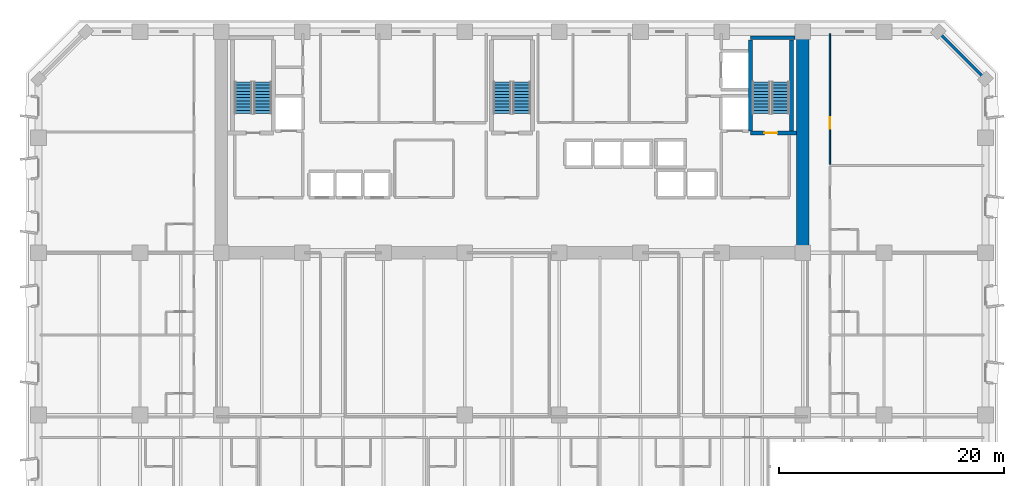
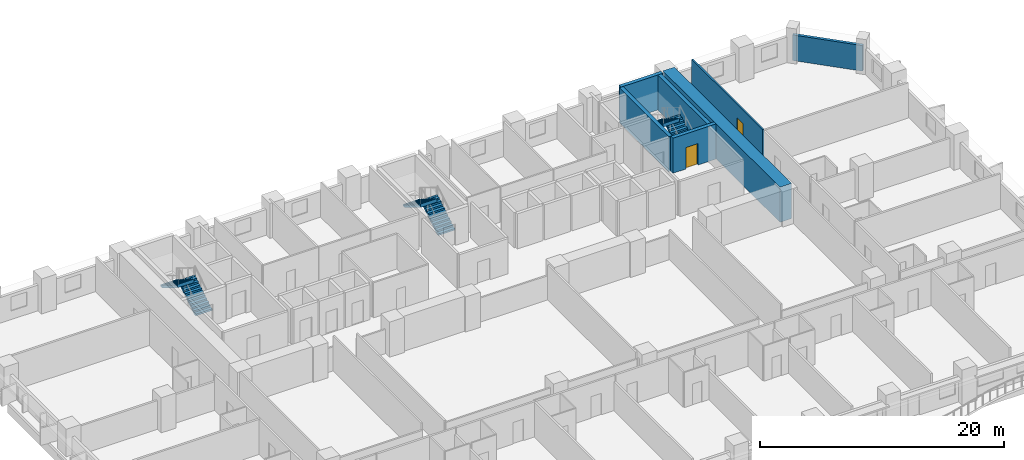
# One storey, part 11 of 15: 7 walls, 6 stair flights, 2 doors, 2 openings, 3 elements without a shape of their own.
"""IFC4 building model written with IfcOpenShell, lengths in metres."""

import ifcopenshell
import ifcopenshell.guid

model = None  # the IFC model being written
_history = None  # IfcOwnerHistory: only IFC2X3 demands one
_inside = {}  # id of a spatial element -> (the spatial element, [elements in it])
_under = {}  # id of a project, library or spatial element -> (it, [spatial elements below it])
_declared = {}  # id of a project -> (the project, [libraries it declares])
_typed = {}  # id of a type object -> (the type object, [elements of that type])
_made_of = {}  # id of a material, layer set ... -> (it, [elements and type objects made of it])


def new_model(schema):
    """Start an empty IFC model of exactly this schema.

    Asked for "IFC4X3", IfcOpenShell would pick the latest addendum, in which some entities
    have other attributes; the version numbers below select the first issue.
    IFC2X3 requires an IfcOwnerHistory on every rooted entity: one is made here for all.
    """
    global model, _history
    if schema == "IFC4X3":
        model = ifcopenshell.file(schema_version=(4, 3, 0, 0))
    else:
        model = ifcopenshell.file(schema=schema)
    _inside.clear()
    _under.clear()
    _declared.clear()
    _typed.clear()
    _made_of.clear()
    _history = None
    if model.schema == "IFC2X3":
        org = make("IfcOrganization", Name="unknown")
        user = make(
            "IfcPersonAndOrganization",
            ThePerson=make("IfcPerson", FamilyName="unknown"),
            TheOrganization=org,
        )
        app = make(
            "IfcApplication",
            ApplicationDeveloper=org,
            Version="unknown",
            ApplicationFullName="unknown",
            ApplicationIdentifier="unknown",
        )
        _history = make(
            "IfcOwnerHistory",
            OwningUser=user,
            OwningApplication=app,
            ChangeAction="ADDED",
            CreationDate=0,
        )
    return model


def make(cls, **values):
    """One entity of the class cls with the attributes given. An attribute that is None is left unset."""
    return model.create_entity(
        cls, **{name: value for name, value in values.items() if value is not None}
    )


def rooted(cls, **values):
    """An entity with a GlobalId (a new one), such as an element, a storey or a relation."""
    return make(cls, GlobalId=ifcopenshell.guid.new(), OwnerHistory=_history, **values)


def si_unit(unit_type, name, prefix=None):
    """IfcSIUnit, for example si_unit("LENGTHUNIT", "METRE", prefix="MILLI")."""
    return make("IfcSIUnit", UnitType=unit_type, Prefix=prefix, Name=name)


def assignment(units):
    """IfcUnitAssignment: the units of a project."""
    return None if units is None else make("IfcUnitAssignment", Units=units)


def point(xyz):
    """IfcCartesianPoint."""
    return None if xyz is None else make("IfcCartesianPoint", Coordinates=xyz)


def direction(xyz):
    """IfcDirection."""
    return None if xyz is None else make("IfcDirection", DirectionRatios=xyz)


def frame(location, z_axis=None, x_axis=None):
    """IfcAxis2Placement3D, a coordinate frame: its origin and axes. An axis left out is left unset."""
    return make(
        "IfcAxis2Placement3D",
        Location=point(location),
        Axis=direction(z_axis),
        RefDirection=direction(x_axis),
    )


def frame_2d(location, x_axis=None):
    """IfcAxis2Placement2D, a coordinate frame in the plane: its origin and x axis."""
    return make(
        "IfcAxis2Placement2D", Location=point(location), RefDirection=direction(x_axis)
    )


def origin():
    """The frame at (0, 0, 0) with its axes left unset."""
    return frame((0.0, 0.0, 0.0))


def place(relative_to, where):
    """IfcLocalPlacement: puts the frame where relative to a parent placement (None: the world)."""
    return make(
        "IfcLocalPlacement", PlacementRelTo=relative_to, RelativePlacement=where
    )


def context(
    kind, dimensions, precision=None, world=None, true_north=None, identifier=None
):
    """IfcGeometricRepresentationContext, for example the 3D "Model" context."""
    return make(
        "IfcGeometricRepresentationContext",
        ContextIdentifier=identifier,
        ContextType=kind,
        CoordinateSpaceDimension=dimensions,
        Precision=precision,
        WorldCoordinateSystem=world,
        TrueNorth=true_north,
    )


def subcontext(parent, identifier, kind, view, scale=None):
    """IfcGeometricRepresentationSubContext, for example "Body" below "Model"."""
    return make(
        "IfcGeometricRepresentationSubContext",
        ContextIdentifier=identifier,
        ContextType=kind,
        ParentContext=parent,
        TargetScale=scale,
        TargetView=view,
    )


def project(units=None, contexts=None):
    """IfcProject with its units and contexts."""
    return rooted(
        "IfcProject",
        Name="project",
        RepresentationContexts=contexts,
        UnitsInContext=assignment(units),
    )


def spatial(cls, under=None, at=None, **own):
    """A site, building, storey or space (cls), placed at a placement, below another one or the project."""
    s = rooted(cls, ObjectPlacement=at, **own)
    if under is not None:
        _under.setdefault(under.id(), (under, []))[1].append(s)
    return s


def polyline(points):
    """IfcPolyline through the points."""
    return make("IfcPolyline", Points=[point(p) for p in points])


def profile(cls, at=None, kind="AREA", **sizes):
    """A parametric profile (cls). Its sizes go by their IFC names, for example OverallWidth=200.0."""
    return make(cls, ProfileType=kind, Position=at, **sizes)


def rectangle(**sizes):
    """IfcRectangleProfileDef."""
    return profile("IfcRectangleProfileDef", **sizes)


def outline(outer, holes=None, kind="AREA"):
    """IfcArbitraryClosedProfileDef: a profile drawn as a closed curve; with holes, ...WithVoids."""
    if holes is None:
        return make("IfcArbitraryClosedProfileDef", ProfileType=kind, OuterCurve=outer)
    return make(
        "IfcArbitraryProfileDefWithVoids",
        ProfileType=kind,
        OuterCurve=outer,
        InnerCurves=holes,
    )


def extrude(swept, where, along, depth):
    """IfcExtrudedAreaSolid: the profile swept, set in the frame where, extruded along a direction by depth."""
    return make(
        "IfcExtrudedAreaSolid",
        SweptArea=swept,
        Position=where,
        ExtrudedDirection=direction(along),
        Depth=depth,
    )


def shape(context_of_items, identifier, shape_type, items):
    """IfcShapeRepresentation: the items that make up one representation, for example the "Body"."""
    return make(
        "IfcShapeRepresentation",
        ContextOfItems=context_of_items,
        RepresentationIdentifier=identifier,
        RepresentationType=shape_type,
        Items=items,
    )


def material(Name=None, Category=None):
    """IfcMaterial."""
    return make("IfcMaterial", Name=Name, Category=Category)


def layer(
    of_material, thickness, ventilated=None, Name=None, Category=None, Priority=None
):
    """IfcMaterialLayer: one layer of a wall or slab, of a material (None: an air gap)."""
    return make(
        "IfcMaterialLayer",
        Material=of_material,
        LayerThickness=thickness,
        IsVentilated=ventilated,
        Name=Name,
        Category=Category,
        Priority=Priority,
    )


def layer_set(layers, Name=None):
    """IfcMaterialLayerSet."""
    return make("IfcMaterialLayerSet", MaterialLayers=layers, LayerSetName=Name)


def made_of(thing, what):
    """Note that an element or type object is made of a material, layer set ...; save() writes the relation."""
    if what is not None:
        _made_of.setdefault(what.id(), (what, []))[1].append(thing)
    return thing


def type_object(cls, material=None, **own):
    """A type object (cls), such as IfcWallType, which elements share."""
    return made_of(rooted(cls, **own), material)


def element(
    cls,
    number,
    at=None,
    inside=None,
    cuts=None,
    type_object=None,
    material=None,
    context=None,
    identifier="Body",
    shape_type=None,
    held_by="IfcProductDefinitionShape",
    body=None,
    shapes=None,
    **own,
):
    """One element of the class cls, such as IfcWall. Its Tag is "e" and its number.

    at: its placement. inside: the storey or other place that contains it. cuts: it is an
    opening in that element (IfcRelVoidsElement). A single representation is given by context,
    identifier, shape_type and body (its items); several are given by shapes. held_by: the class
    of the entity that holds the representations. save() writes the other relations.
    """
    e = rooted(cls, Tag="e%d" % number, ObjectPlacement=at, **own)
    if body is not None:
        shapes = [shape(context, identifier, shape_type, body)]
    if shapes is not None:
        e.Representation = make(held_by, Representations=shapes)
    if inside is not None:
        _inside.setdefault(inside.id(), (inside, []))[1].append(e)
    if cuts is not None:
        rooted(
            "IfcRelVoidsElement", RelatingBuildingElement=cuts, RelatedOpeningElement=e
        )
    if type_object is not None:
        _typed.setdefault(type_object.id(), (type_object, []))[1].append(e)
    return made_of(e, material)


def fill(opening, filler):
    """IfcRelFillsElement: the door or window that sits in an opening."""
    return rooted(
        "IfcRelFillsElement",
        RelatingOpeningElement=opening,
        RelatedBuildingElement=filler,
    )


def aggregate(whole, parts):
    """IfcRelAggregates: a whole, such as a stair, and the parts it consists of."""
    return rooted("IfcRelAggregates", RelatingObject=whole, RelatedObjects=parts)


def save(model, path):
    """Write the relations noted so far, then the file.

    IfcRelAggregates (storeys below a building ...), IfcRelContainedInSpatialStructure (elements
    in a storey), IfcRelDefinesByType, IfcRelAssociatesMaterial and IfcRelDeclares: one each for
    every whole, place, type object, material and project.
    """
    for whole, parts in _under.values():
        aggregate(whole, parts)
    for where, things in _inside.values():
        rooted(
            "IfcRelContainedInSpatialStructure",
            RelatedElements=things,
            RelatingStructure=where,
        )
    for kind, things in _typed.values():
        rooted("IfcRelDefinesByType", RelatedObjects=things, RelatingType=kind)
    for what, things in _made_of.values():
        rooted("IfcRelAssociatesMaterial", RelatedObjects=things, RelatingMaterial=what)
    for by, libraries in _declared.values():
        rooted("IfcRelDeclares", RelatingContext=by, RelatedDefinitions=libraries)
    model.write(path)


model = new_model("IFC4")

# Units and contexts
model_context = context("Model", 3, precision=1e-05, world=origin(), true_north=direction((0.0, 1.0)))
body_context = subcontext(model_context, "Body", "Model", "MODEL_VIEW")
ifc_project = project(units=[si_unit("LENGTHUNIT", "METRE"), si_unit("AREAUNIT", "SQUARE_METRE"), si_unit("VOLUMEUNIT", "CUBIC_METRE"), si_unit("PLANEANGLEUNIT", "RADIAN"), si_unit("MASSUNIT", "GRAM", prefix="KILO")], contexts=[model_context])

# Site, building, storey
site_placement = place(None, origin())
site = spatial("IfcSite", under=ifc_project, at=site_placement, CompositionType="ELEMENT")
building_placement = place(site_placement, origin())
building = spatial("IfcBuilding", under=site, at=building_placement, Name="Kaelvorn Grand Hotel", CompositionType="ELEMENT")
storey_placement = place(building_placement, frame((0.0, 0.0, 65.14990234375)))
storey = spatial("IfcBuildingStorey", under=building, at=storey_placement, Name="L14", CompositionType="ELEMENT", Elevation=65.14990234375)

# Walls
ifc_material_1 = material(Name="Concrete C80/95", Category="concrete")
ifc_layer_1 = layer(ifc_material_1, 1.10009765625)
ifc_layer_set_1 = layer_set([ifc_layer_1], Name="Concrete C80/95")
wall_type_1 = type_object("IfcWallType", Name="WL-CORE-1100-C80", PredefinedType="SHEAR", material=ifc_layer_set_1)
wall_1_placement = place(storey_placement, frame((67.800048828125, 29.39990234375, 0.0), z_axis=(0.0, 0.0, 1.0), x_axis=(0.0, 1.0, 0.0)))
element("IfcWall", 1, at=wall_1_placement, inside=storey, type_object=wall_type_1, Name="L14 Rear-Core East Shear Wall", PredefinedType="SHEAR", context=body_context, shape_type="SweptSolid", body=[
    extrude(rectangle(XDim=19.2001953125, YDim=1.10009765625, at=frame_2d((9.60009765625, 0.0))), origin(), (0.0, 0.0, 1.0), 3.510009765625),
])
ifc_material_2 = material(Name="Concrete C40/50", Category="concrete")
ifc_layer_2 = layer(ifc_material_2, 0.260009765625)
ifc_layer_set_2 = layer_set([ifc_layer_2], Name="Concrete C40/50")
wall_type_2 = type_object("IfcWallType", Name="WL-EXT-260-C40", PredefinedType="SOLIDWALL", material=ifc_layer_set_2)
wall_2_placement = place(storey_placement, frame((84.0, 44.800048828125, 0.0), z_axis=(0.0, 0.0, 1.0), x_axis=(-0.707106781187, 0.707106781187, 0.0)))
element("IfcWall", 2, at=wall_2_placement, inside=storey, type_object=wall_type_2, Name="L14 Exterior Architectural Concrete Wall 04", PredefinedType="SOLIDWALL", context=body_context, shape_type="SweptSolid", body=[
    extrude(rectangle(XDim=5.939697265625, YDim=0.260009765625, at=frame_2d((2.9697265625, 0.0))), origin(), (0.0, 0.0, 1.0), 2.56005859375),
])

# Wall, opening, door
ifc_material_3 = material(Name="Acoustic Gypsum & Stud Partition")
ifc_layer_3 = layer(ifc_material_3, 0.14990234375)
ifc_layer_set_3 = layer_set([ifc_layer_3], Name="Acoustic Gypsum & Stud Partition")
wall_type_3 = type_object("IfcWallType", Name="WL-PART-150-EI60", PredefinedType="PARTITIONING", material=ifc_layer_set_3)
wall_3_placement = place(storey_placement, frame((70.199951171875, 37.2451171875, 0.0), z_axis=(0.0, 0.0, 1.0), x_axis=(0.0, 1.0, 0.0)))
wall_3 = element("IfcWall", 3, at=wall_3_placement, inside=storey, type_object=wall_type_3, Name="L14 North-East Diplomatic Living Room W Partition", PredefinedType="PARTITIONING", context=body_context, shape_type="SweptSolid", body=[
    extrude(rectangle(XDim=11.60498046875, YDim=0.14990234375, at=frame_2d((5.802490234375, 0.0))), origin(), (0.0, 0.0, 1.0), 3.510009765625),
])
opening_1_placement = place(wall_3_placement, frame((3.175048828125, 0.0, 0.0)))
opening_1 = element("IfcOpeningElement", 4, at=opening_1_placement, cuts=wall_3, Name="Opening DI3", PredefinedType="OPENING", context=body_context, shape_type="SweptSolid", body=[
    extrude(rectangle(XDim=1.0, YDim=2.14990234375, at=frame_2d((0.5, 1.074951171875))), frame((0.0, 0.0849609375, 0.0), z_axis=(0.0, -1.0, 0.0), x_axis=(1.0, 0.0, 0.0)), (0.0, 0.0, 1.0), 0.169921875),
])
ifc_material_4 = material(Name="Timber Veneer Fire Leaf", Category="wood")
door_type_1 = type_object("IfcDoorType", Name="DR-INT-GUEST-1000x2150", OperationType="NOTDEFINED", PredefinedType="DOOR", material=ifc_material_4)
door_1_placement = place(opening_1_placement, origin())
door_1 = element("IfcDoor", 5, at=door_1_placement, inside=storey, type_object=door_type_1, Name="L14 North-East Diplomatic Living Room Door", OperationType="SINGLE_SWING_LEFT", OverallHeight=2.14990234375, OverallWidth=1.0, PredefinedType="DOOR", context=body_context, shape_type="SweptSolid", body=[
    extrude(rectangle(XDim=1.0, YDim=2.14990234375, at=frame_2d((0.5, 1.074951171875))), frame((0.0, 0.02490234375, 0.0), z_axis=(0.0, -1.0, 0.0), x_axis=(1.0, 0.0, 0.0)), (0.0, 0.0, 1.0), 0.050048828125),
])
fill(opening_1, door_1)

ifc_material_5 = material(Name="Concrete C60/75", Category="concrete")
ifc_layer_4 = layer(ifc_material_5, 0.35009765625)
ifc_layer_set_4 = layer_set([ifc_layer_4], Name="Concrete C60/75")
wall_type_4 = type_object("IfcWallType", Name="WL-SHAFT-350-C60", PredefinedType="SHEAR", material=ifc_layer_set_4)
wall_4_placement = place(storey_placement, frame((63.14501953125, 40.02490234375, 0.0), z_axis=(0.0, 0.0, 1.0), x_axis=(1.0, 0.0, 0.0)))
wall_4 = element("IfcWall", 6, at=wall_4_placement, inside=storey, type_object=wall_type_4, Name="L14 ST3 Stair Shaft South Wall", PredefinedType="SHEAR", context=body_context, shape_type="SweptSolid", body=[
    extrude(rectangle(XDim=4.10009765625, YDim=0.35009765625, at=frame_2d((2.050048828125, 0.0))), origin(), (0.0, 0.0, 1.0), 3.510009765625),
])
opening_2_placement = place(wall_4_placement, frame((1.239990234375, 0.0, 0.0)))
opening_2 = element("IfcOpeningElement", 7, at=opening_2_placement, cuts=wall_4, Name="Opening DI1", PredefinedType="OPENING", context=body_context, shape_type="SweptSolid", body=[
    extrude(rectangle(XDim=1.14990234375, YDim=2.14990234375, at=frame_2d((0.574951171875, 1.074951171875))), frame((0.0, 0.18505859375, 0.0), z_axis=(0.0, -1.0, 0.0), x_axis=(1.0, 0.0, 0.0)), (0.0, 0.0, 1.0), 0.3701171875),
])
door_type_2 = type_object("IfcDoorType", Name="DR-INT-STAIR-1150x2150", OperationType="NOTDEFINED", PredefinedType="DOOR", material=ifc_material_4)
door_2_placement = place(opening_2_placement, origin())
door_2 = element("IfcDoor", 8, at=door_2_placement, inside=storey, type_object=door_type_2, Name="L14 ST3 Exit Stair Fire Door", OperationType="SINGLE_SWING_LEFT", OverallHeight=2.14990234375, OverallWidth=1.14990234375, PredefinedType="DOOR", context=body_context, shape_type="SweptSolid", body=[
    extrude(rectangle(XDim=1.14990234375, YDim=2.14990234375, at=frame_2d((0.574951171875, 1.074951171875))), frame((0.0, 0.02490234375, 0.0), z_axis=(0.0, -1.0, 0.0), x_axis=(1.0, 0.0, 0.0)), (0.0, 0.0, 1.0), 0.050048828125),
])
fill(opening_2, door_2)

# Walls
wall_5_placement = place(storey_placement, frame((63.14501953125, 48.47509765625, 0.0), z_axis=(0.0, 0.0, 1.0), x_axis=(1.0, 0.0, 0.0)))
element("IfcWall", 9, at=wall_5_placement, inside=storey, type_object=wall_type_4, Name="L14 ST3 Stair Shaft North Wall", PredefinedType="SHEAR", context=body_context, shape_type="SweptSolid", body=[
    extrude(rectangle(XDim=3.949951171875, YDim=0.35009765625, at=frame_2d((1.97509765625, 0.0))), origin(), (0.0, 0.0, 1.0), 3.510009765625),
])
for number, where, z_axis, x_axis, name in (
    (10, (63.14501953125, 40.205078125, 0.0), (0.0, 0.0, 1.0), (0.0, 1.0, 0.0), "L14 ST3 Stair Shaft West Wall"),
    (11, (66.77490234375, 40.205078125, 0.0), (0.0, 0.0, 1.0), (0.0, 1.0, 0.0), "L14 ST3 Stair Shaft East Wall"),
):
    element("IfcWall", number, at=place(storey_placement, frame(where, z_axis=z_axis, x_axis=x_axis)), inside=storey, type_object=wall_type_4, Name=name, PredefinedType="SHEAR", context=body_context, shape_type="SweptSolid", body=[
        extrude(rectangle(XDim=8.08984375, YDim=0.35009765625, at=frame_2d((4.044921875, 0.0))), origin(), (0.0, 0.0, 1.0), 3.510009765625),
    ])

# Stair, stair flights
stair_type = type_object("IfcStairType", Name="STR-DOG-1560-R06", PredefinedType="HALF_TURN_STAIR", material=ifc_material_2)
stair_1_placement = place(storey_placement, origin())
stair_1 = element("IfcStair", 12, at=stair_1_placement, inside=storey, type_object=stair_type, Name="L14 West Core Exit Stair ST1", PredefinedType="HALF_TURN_STAIR")
stair_flight_type = type_object("IfcStairFlightType", Name="FLG-DOG-1560-R06", PredefinedType="STRAIGHT", material=ifc_material_2)
stair_flight_1_placement = place(storey_placement, frame((19.89990234375, 41.760009765625, 0.0), z_axis=(0.0, 0.0, 1.0), x_axis=(0.0, 1.0, 0.0)))
stair_flight_1 = element("IfcStairFlight", 13, at=stair_flight_1_placement, type_object=stair_flight_type, Name="ST1 flight 1", NumberOfRisers=11, NumberOfTreads=10, PredefinedType="STRAIGHT", RiserHeight=0.170454545, TreadLength=0.28, context=body_context, shape_type="SweptSolid", body=[
    extrude(outline(polyline([(-0.0048828125, 0.0), (-0.0048828125, 0.0400390625), (0.0, 0.17041015625), (0.280029296875, 0.17041015625), (0.280029296875, 0.3408203125), (0.56005859375, 0.3408203125), (0.56005859375, 0.511474609375), (0.840087890625, 0.511474609375), (0.840087890625, 0.681884765625), (1.1201171875, 0.681884765625), (1.1201171875, 0.852294921875), (1.39990234375, 0.852294921875), (1.39990234375, 1.022705078125), (1.679931640625, 1.022705078125), (1.679931640625, 1.193115234375), (1.9599609375, 1.193115234375), (1.9599609375, 1.363525390625), (2.239990234375, 1.363525390625), (2.239990234375, 1.5341796875), (2.52001953125, 1.5341796875), (2.52001953125, 1.70458984375), (2.800048828125, 1.70458984375), (2.800048828125, 1.875), (2.804931640625, 1.875), (2.804931640625, 1.529052734375), (0.288330078125, 0.0), (-0.0048828125, 0.0)])), frame((0.0, 0.780029296875, 0.0), z_axis=(0.0, -1.0, 0.0), x_axis=(1.0, 0.0, 0.0)), (0.0, 0.0, 1.0), 1.56005859375),
])
stair_flight_2_placement = place(storey_placement, frame((18.179931640625, 44.56005859375, 1.875), z_axis=(0.0, 0.0, 1.0), x_axis=(0.0, -1.0, 0.0)))
stair_flight_2 = element("IfcStairFlight", 14, at=stair_flight_2_placement, type_object=stair_flight_type, Name="ST1 flight 2", NumberOfRisers=11, NumberOfTreads=10, PredefinedType="STRAIGHT", RiserHeight=0.170454545, TreadLength=0.28, context=body_context, shape_type="SweptSolid", body=[
    extrude(outline(polyline([(-0.0048828125, 0.0), (-0.0048828125, 0.0400390625), (0.0, 0.17041015625), (0.280029296875, 0.17041015625), (0.280029296875, 0.3408203125), (0.56005859375, 0.3408203125), (0.56005859375, 0.511474609375), (0.840087890625, 0.511474609375), (0.840087890625, 0.681884765625), (1.1201171875, 0.681884765625), (1.1201171875, 0.852294921875), (1.39990234375, 0.852294921875), (1.39990234375, 1.022705078125), (1.679931640625, 1.022705078125), (1.679931640625, 1.193115234375), (1.9599609375, 1.193115234375), (1.9599609375, 1.363525390625), (2.239990234375, 1.363525390625), (2.239990234375, 1.5341796875), (2.52001953125, 1.5341796875), (2.52001953125, 1.70458984375), (2.800048828125, 1.70458984375), (2.800048828125, 1.875), (2.804931640625, 1.875), (2.804931640625, 1.529052734375), (0.288330078125, 0.0), (-0.0048828125, 0.0)])), frame((0.0, 0.780029296875, 0.0), z_axis=(0.0, -1.0, 0.0), x_axis=(1.0, 0.0, 0.0)), (0.0, 0.0, 1.0), 1.56005859375),
])
aggregate(stair_1, [stair_flight_1, stair_flight_2])

stair_2_placement = place(storey_placement, origin())
stair_2 = element("IfcStair", 15, at=stair_2_placement, inside=storey, type_object=stair_type, Name="L14 Central Core Exit Stair ST2", PredefinedType="HALF_TURN_STAIR")
stair_flight_3_placement = place(storey_placement, frame((42.860107421875, 41.760009765625, 0.0), z_axis=(0.0, 0.0, 1.0), x_axis=(0.0, 1.0, 0.0)))
stair_flight_3 = element("IfcStairFlight", 16, at=stair_flight_3_placement, type_object=stair_flight_type, Name="ST2 flight 1", NumberOfRisers=11, NumberOfTreads=10, PredefinedType="STRAIGHT", RiserHeight=0.170454545, TreadLength=0.28, context=body_context, shape_type="SweptSolid", body=[
    extrude(outline(polyline([(-0.0048828125, 0.0), (-0.0048828125, 0.0400390625), (0.0, 0.17041015625), (0.280029296875, 0.17041015625), (0.280029296875, 0.3408203125), (0.56005859375, 0.3408203125), (0.56005859375, 0.511474609375), (0.840087890625, 0.511474609375), (0.840087890625, 0.681884765625), (1.1201171875, 0.681884765625), (1.1201171875, 0.852294921875), (1.39990234375, 0.852294921875), (1.39990234375, 1.022705078125), (1.679931640625, 1.022705078125), (1.679931640625, 1.193115234375), (1.9599609375, 1.193115234375), (1.9599609375, 1.363525390625), (2.239990234375, 1.363525390625), (2.239990234375, 1.5341796875), (2.52001953125, 1.5341796875), (2.52001953125, 1.70458984375), (2.800048828125, 1.70458984375), (2.800048828125, 1.875), (2.804931640625, 1.875), (2.804931640625, 1.529052734375), (0.288330078125, 0.0), (-0.0048828125, 0.0)])), frame((0.0, 0.780029296875, 0.0), z_axis=(0.0, -1.0, 0.0), x_axis=(1.0, 0.0, 0.0)), (0.0, 0.0, 1.0), 1.56005859375),
])
stair_flight_4_placement = place(storey_placement, frame((41.139892578125, 44.56005859375, 1.875), z_axis=(0.0, 0.0, 1.0), x_axis=(0.0, -1.0, 0.0)))
stair_flight_4 = element("IfcStairFlight", 17, at=stair_flight_4_placement, type_object=stair_flight_type, Name="ST2 flight 2", NumberOfRisers=11, NumberOfTreads=10, PredefinedType="STRAIGHT", RiserHeight=0.170454545, TreadLength=0.28, context=body_context, shape_type="SweptSolid", body=[
    extrude(outline(polyline([(-0.0048828125, 0.0), (-0.0048828125, 0.0400390625), (0.0, 0.17041015625), (0.280029296875, 0.17041015625), (0.280029296875, 0.3408203125), (0.56005859375, 0.3408203125), (0.56005859375, 0.511474609375), (0.840087890625, 0.511474609375), (0.840087890625, 0.681884765625), (1.1201171875, 0.681884765625), (1.1201171875, 0.852294921875), (1.39990234375, 0.852294921875), (1.39990234375, 1.022705078125), (1.679931640625, 1.022705078125), (1.679931640625, 1.193115234375), (1.9599609375, 1.193115234375), (1.9599609375, 1.363525390625), (2.239990234375, 1.363525390625), (2.239990234375, 1.5341796875), (2.52001953125, 1.5341796875), (2.52001953125, 1.70458984375), (2.800048828125, 1.70458984375), (2.800048828125, 1.875), (2.804931640625, 1.875), (2.804931640625, 1.529052734375), (0.288330078125, 0.0), (-0.0048828125, 0.0)])), frame((0.0, 0.780029296875, 0.0), z_axis=(0.0, -1.0, 0.0), x_axis=(1.0, 0.0, 0.0)), (0.0, 0.0, 1.0), 1.56005859375),
])
aggregate(stair_2, [stair_flight_3, stair_flight_4])

stair_3_placement = place(storey_placement, origin())
stair_3 = element("IfcStair", 18, at=stair_3_placement, inside=storey, type_object=stair_type, Name="L14 East Core Exit Stair ST3", PredefinedType="HALF_TURN_STAIR")
stair_flight_5_placement = place(storey_placement, frame((65.820068359375, 41.760009765625, 0.0), z_axis=(0.0, 0.0, 1.0), x_axis=(0.0, 1.0, 0.0)))
stair_flight_5 = element("IfcStairFlight", 19, at=stair_flight_5_placement, type_object=stair_flight_type, Name="ST3 flight 1", NumberOfRisers=11, NumberOfTreads=10, PredefinedType="STRAIGHT", RiserHeight=0.170454545, TreadLength=0.28, context=body_context, shape_type="SweptSolid", body=[
    extrude(outline(polyline([(-0.0048828125, 0.0), (-0.0048828125, 0.0400390625), (0.0, 0.17041015625), (0.280029296875, 0.17041015625), (0.280029296875, 0.3408203125), (0.56005859375, 0.3408203125), (0.56005859375, 0.511474609375), (0.840087890625, 0.511474609375), (0.840087890625, 0.681884765625), (1.1201171875, 0.681884765625), (1.1201171875, 0.852294921875), (1.39990234375, 0.852294921875), (1.39990234375, 1.022705078125), (1.679931640625, 1.022705078125), (1.679931640625, 1.193115234375), (1.9599609375, 1.193115234375), (1.9599609375, 1.363525390625), (2.239990234375, 1.363525390625), (2.239990234375, 1.5341796875), (2.52001953125, 1.5341796875), (2.52001953125, 1.70458984375), (2.800048828125, 1.70458984375), (2.800048828125, 1.875), (2.804931640625, 1.875), (2.804931640625, 1.529052734375), (0.288330078125, 0.0), (-0.0048828125, 0.0)])), frame((0.0, 0.780029296875, 0.0), z_axis=(0.0, -1.0, 0.0), x_axis=(1.0, 0.0, 0.0)), (0.0, 0.0, 1.0), 1.56005859375),
])
stair_flight_6_placement = place(storey_placement, frame((64.10009765625, 44.56005859375, 1.875), z_axis=(0.0, 0.0, 1.0), x_axis=(0.0, -1.0, 0.0)))
stair_flight_6 = element("IfcStairFlight", 20, at=stair_flight_6_placement, type_object=stair_flight_type, Name="ST3 flight 2", NumberOfRisers=11, NumberOfTreads=10, PredefinedType="STRAIGHT", RiserHeight=0.170454545, TreadLength=0.28, context=body_context, shape_type="SweptSolid", body=[
    extrude(outline(polyline([(-0.0048828125, 0.0), (-0.0048828125, 0.0400390625), (0.0, 0.17041015625), (0.280029296875, 0.17041015625), (0.280029296875, 0.3408203125), (0.56005859375, 0.3408203125), (0.56005859375, 0.511474609375), (0.840087890625, 0.511474609375), (0.840087890625, 0.681884765625), (1.1201171875, 0.681884765625), (1.1201171875, 0.852294921875), (1.39990234375, 0.852294921875), (1.39990234375, 1.022705078125), (1.679931640625, 1.022705078125), (1.679931640625, 1.193115234375), (1.9599609375, 1.193115234375), (1.9599609375, 1.363525390625), (2.239990234375, 1.363525390625), (2.239990234375, 1.5341796875), (2.52001953125, 1.5341796875), (2.52001953125, 1.70458984375), (2.800048828125, 1.70458984375), (2.800048828125, 1.875), (2.804931640625, 1.875), (2.804931640625, 1.529052734375), (0.288330078125, 0.0), (-0.0048828125, 0.0)])), frame((0.0, 0.780029296875, 0.0), z_axis=(0.0, -1.0, 0.0), x_axis=(1.0, 0.0, 0.0)), (0.0, 0.0, 1.0), 1.56005859375),
])
aggregate(stair_3, [stair_flight_5, stair_flight_6])

save(model, "model.ifc")
